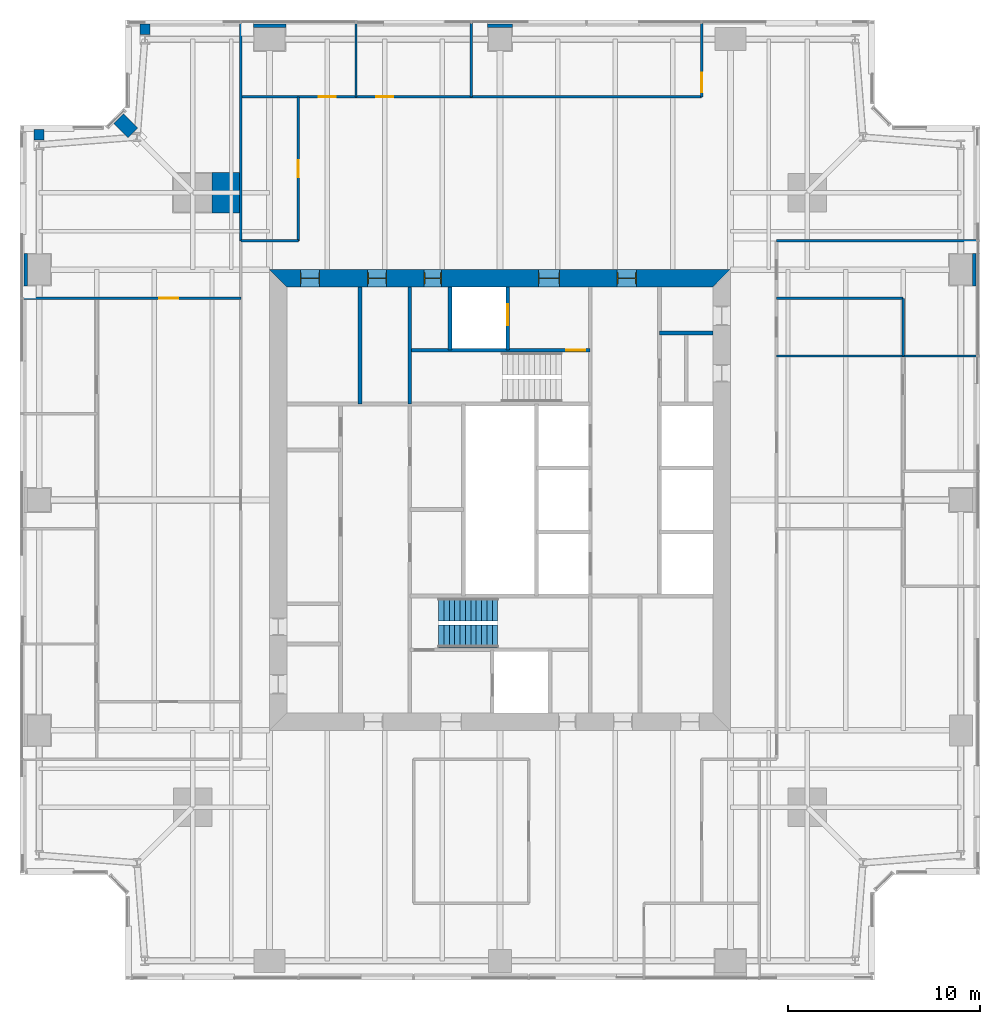
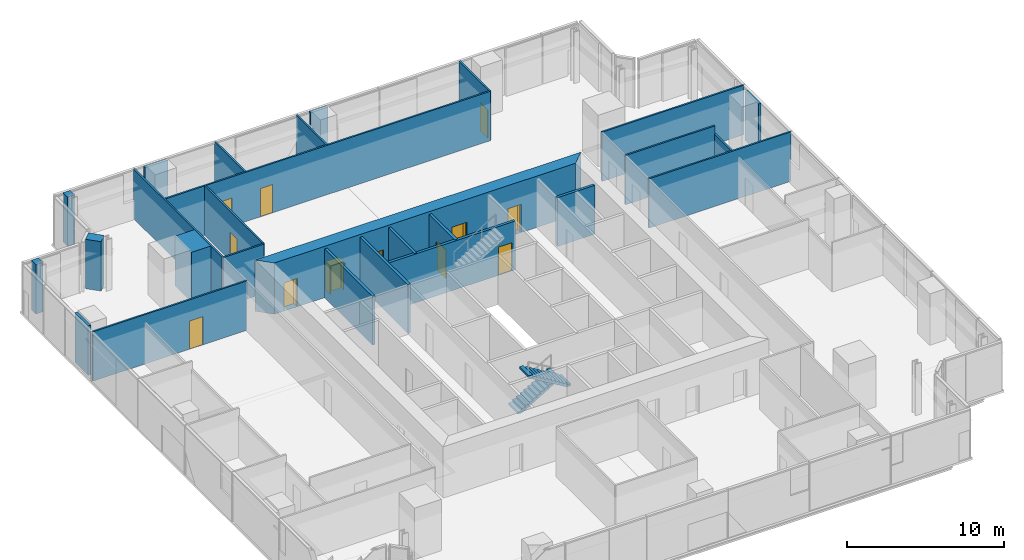
# One storey, part 13 of 16: 27 walls, 12 doors, 2 stair flights, 12 openings, 1 element without a shape of its own.
"""IFC4 building model written with IfcOpenShell, lengths in metres."""

from ifc_helpers import new_model, si_unit, direction, frame, frame_2d, origin, place, context, subcontext, project, spatial, polyline, rectangle, outline, extrude, material, layer, layer_set, type_object, element, fill, aggregate, save


model = new_model("IFC4")

# Units and contexts
model_context = context("Model", 3, precision=1e-05, world=origin(), true_north=direction((0.0, 1.0)))
body_context = subcontext(model_context, "Body", "Model", "MODEL_VIEW")
ifc_project = project(units=[si_unit("LENGTHUNIT", "METRE"), si_unit("AREAUNIT", "SQUARE_METRE"), si_unit("VOLUMEUNIT", "CUBIC_METRE"), si_unit("PLANEANGLEUNIT", "RADIAN"), si_unit("MASSUNIT", "GRAM", prefix="KILO")], contexts=[model_context])

# Site, building, storey
site_placement = place(None, origin())
site = spatial("IfcSite", under=ifc_project, at=site_placement, CompositionType="ELEMENT")
building_placement = place(site_placement, origin())
building = spatial("IfcBuilding", under=site, at=building_placement, Name="Fenwick Lantern Interchange", CompositionType="ELEMENT")
storey_placement = place(building_placement, frame((0.0, 0.0, 177.800048828125)))
storey = spatial("IfcBuildingStorey", under=building, at=storey_placement, Name="L41", CompositionType="ELEMENT", Elevation=177.800048828125)

# Walls
ifc_material_1 = material(Name="Fire-rated gypsum board encasement on steel studs, 2 hour", Category="steel")
ifc_layer_1 = layer(ifc_material_1, 1.300048828125)
ifc_layer_set_1 = layer_set([ifc_layer_1], Name="COLUMN PIER 1300")
wall_type_1 = type_object("IfcWallType", Name="COLUMN PIER 1300", PredefinedType="PARTITIONING", material=ifc_layer_set_1)
wall_1_placement = place(storey_placement, frame((25.0, 49.800048828125, 0.0), z_axis=(0.0, 0.0, 1.0), x_axis=(0.0, -1.0, 0.0)))
element("IfcWall", 1, at=wall_1_placement, inside=storey, type_object=wall_type_1, Name="L41/W/PIER/CN3", PredefinedType="PARTITIONING", context=body_context, shape_type="SweptSolid", body=[
    extrude(rectangle(XDim=0.199951171875, YDim=1.300048828125, at=frame_2d((0.10009765625, 0.0))), origin(), (0.0, 0.0, 1.0), 3.849853515625),
])
ifc_layer_2 = layer(ifc_material_1, 1.699951171875)
ifc_layer_set_2 = layer_set([ifc_layer_2], Name="COLUMN PIER 1700")
wall_type_2 = type_object("IfcWallType", Name="COLUMN PIER 1700", PredefinedType="PARTITIONING", material=ifc_layer_set_2)
for number, where, z_axis, x_axis, name in (
    (2, (49.800048828125, 37.0, 0.0), (0.0, 0.0, 1.0), (-1.0, 0.0, 0.0), "L41/W/PIER/CE4"),
    (3, (13.0, 49.800048828125, 0.0), (0.0, 0.0, 1.0), (0.0, -1.0, 0.0), "L41/W/PIER/CN4"),
    (4, (0.199951171875, 37.0, 0.0), (0.0, 0.0, 1.0), (1.0, 0.0, 0.0), "L41/W/PIER/CW2"),
):
    element("IfcWall", number, at=place(storey_placement, frame(where, z_axis=z_axis, x_axis=x_axis)), inside=storey, type_object=wall_type_2, Name=name, PredefinedType="PARTITIONING", context=body_context, shape_type="SweptSolid", body=[
        extrude(rectangle(XDim=0.199951171875, YDim=1.699951171875, at=frame_2d((0.10009765625, 0.0))), origin(), (0.0, 0.0, 1.0), 3.849853515625),
    ])
ifc_layer_3 = layer(ifc_material_1, 2.10009765625)
ifc_layer_set_3 = layer_set([ifc_layer_3], Name="COLUMN PIER 2100")
wall_type_3 = type_object("IfcWallType", Name="COLUMN PIER 2100", PredefinedType="PARTITIONING", material=ifc_layer_set_3)
wall_2_placement = place(storey_placement, frame((11.4375, 41.0, 0.0), z_axis=(0.0, 0.0, 1.0), x_axis=(-1.0, 0.0, 0.0)))
element("IfcWall", 5, at=wall_2_placement, inside=storey, type_object=wall_type_3, Name="L41/W/PIER/M4", PredefinedType="PARTITIONING", context=body_context, shape_type="SweptSolid", body=[
    extrude(rectangle(XDim=1.4375, YDim=2.10009765625, at=frame_2d((0.71875, 0.0))), origin(), (0.0, 0.0, 1.0), 3.849853515625),
])
ifc_layer_4 = layer(ifc_material_1, 0.52392578125)
ifc_layer_set_4 = layer_set([ifc_layer_4], Name="COLUMN PIER 524")
wall_type_4 = type_object("IfcWallType", Name="COLUMN PIER 524", PredefinedType="PARTITIONING", material=ifc_layer_set_4)
for number, where, z_axis, x_axis, name in (
    (6, (6.5, 49.800048828125, 0.0), (0.0, 0.0, 1.0), (0.0, -1.0, 0.0), "L41/W/PIER/CN5"),
    (7, (1.0, 44.300048828125, 0.0), (0.0, 0.0, 1.0), (0.0, -1.0, 0.0), "L41/W/PIER/CW1"),
):
    element("IfcWall", number, at=place(storey_placement, frame(where, z_axis=z_axis, x_axis=x_axis)), inside=storey, type_object=wall_type_4, Name=name, PredefinedType="PARTITIONING", context=body_context, shape_type="SweptSolid", body=[
        extrude(rectangle(XDim=0.5625, YDim=0.52392578125, at=frame_2d((0.28125, 0.0))), origin(), (0.0, 0.0, 1.0), 3.849853515625),
    ])
ifc_layer_5 = layer(ifc_material_1, 0.736083984375)
ifc_layer_set_5 = layer_set([ifc_layer_5], Name="COLUMN PIER 736")
wall_type_5 = type_object("IfcWallType", Name="COLUMN PIER 736", PredefinedType="PARTITIONING", material=ifc_layer_set_5)
wall_3_placement = place(storey_placement, frame((5.141357421875, 44.858642578125, 0.0), z_axis=(0.0, 0.0, 1.0), x_axis=(0.707106781187, -0.707106781187, 0.0)))
element("IfcWall", 8, at=wall_3_placement, inside=storey, type_object=wall_type_5, Name="L41/W/PIER/CNR", PredefinedType="PARTITIONING", context=body_context, shape_type="SweptSolid", body=[
    extrude(rectangle(XDim=1.037841796875, YDim=0.736083984375, at=frame_2d((0.51904296875, 0.0))), origin(), (0.0, 0.0, 1.0), 3.849853515625),
])

# Wall, opening, door
ifc_material_2 = material(Name="Concrete masonry ASTM C90 Grade N", Category="masonry")
ifc_layer_6 = layer(ifc_material_2, 0.199951171875)
ifc_layer_set_6 = layer_set([ifc_layer_6], Name="Concrete masonry ASTM C90 Grade N")
wall_type_6 = type_object("IfcWallType", Name="CORE PARTITION 200", PredefinedType="PARTITIONING", material=ifc_layer_set_6)
wall_4_placement = place(storey_placement, frame((25.39990234375, 36.10009765625, 0.0), z_axis=(0.0, 0.0, 1.0), x_axis=(0.0, -1.0, 0.0)))
wall_4 = element("IfcWall", 9, at=wall_4_placement, inside=storey, type_object=wall_type_6, Name="L41/W/COREN/h1", PredefinedType="PARTITIONING", context=body_context, shape_type="SweptSolid", body=[
    extrude(rectangle(XDim=3.300048828125, YDim=0.199951171875, at=frame_2d((1.64990234375, 0.0))), origin(), (0.0, 0.0, 1.0), 3.800048828125),
])
opening_1_placement = place(wall_4_placement, frame((0.89990234375, 0.0, 0.0)))
opening_1 = element("IfcOpeningElement", 10, at=opening_1_placement, cuts=wall_4, Name="Opening LD-FL2", PredefinedType="OPENING", context=body_context, shape_type="SweptSolid", body=[
    extrude(rectangle(XDim=1.10009765625, YDim=2.199951171875, at=frame_2d((0.550048828125, 1.10009765625))), frame((0.0, 0.10986328125, 0.0), z_axis=(0.0, -1.0, 0.0), x_axis=(1.0, 0.0, 0.0)), (0.0, 0.0, 1.0), 0.219970703125),
])
ifc_material_3 = material(Name="Steel door and frame", Category="steel")
door_type_1 = type_object("IfcDoorType", Name="LIFT LANDING DOOR 1100 X 2200", OperationType="DOUBLE_DOOR_SLIDING", PredefinedType="DOOR", material=ifc_material_3)
door_1_placement = place(opening_1_placement, origin())
door_1 = element("IfcDoor", 11, at=door_1_placement, inside=storey, type_object=door_type_1, Name="Lift landing door FL2", OperationType="DOUBLE_DOOR_SLIDING", OverallHeight=2.199951171875, OverallWidth=1.10009765625, PredefinedType="DOOR", context=body_context, shape_type="SweptSolid", body=[
    extrude(rectangle(XDim=1.10009765625, YDim=2.199951171875, at=frame_2d((0.550048828125, 1.10009765625))), frame((0.0, 0.02490234375, 0.0), z_axis=(0.0, -1.0, 0.0), x_axis=(1.0, 0.0, 0.0)), (0.0, 0.0, 1.0), 0.050048828125),
])
fill(opening_1, door_1)

# Walls
wall_5_placement = place(storey_placement, frame((22.39990234375, 36.10009765625, 0.0), z_axis=(0.0, 0.0, 1.0), x_axis=(0.0, -1.0, 0.0)))
element("IfcWall", 12, at=wall_5_placement, inside=storey, type_object=wall_type_6, Name="L41/W/COREN/h2", PredefinedType="PARTITIONING", context=body_context, shape_type="SweptSolid", body=[
    extrude(rectangle(XDim=3.300048828125, YDim=0.199951171875, at=frame_2d((1.64990234375, 0.0))), origin(), (0.0, 0.0, 1.0), 3.800048828125),
])
wall_6_placement = place(storey_placement, frame((17.699951171875, 36.10009765625, 0.0), z_axis=(0.0, 0.0, 1.0), x_axis=(0.0, -1.0, 0.0)))
element("IfcWall", 13, at=wall_6_placement, inside=storey, type_object=wall_type_6, Name="L41/W/COREN/i2", PredefinedType="PARTITIONING", context=body_context, shape_type="SweptSolid", body=[
    extrude(rectangle(XDim=6.10009765625, YDim=0.199951171875, at=frame_2d((3.050048828125, 0.0))), origin(), (0.0, 0.0, 1.0), 3.800048828125),
])
wall_7_placement = place(storey_placement, frame((36.10009765625, 33.699951171875, 0.0), z_axis=(0.0, 0.0, 1.0), x_axis=(-1.0, 0.0, 0.0)))
element("IfcWall", 14, at=wall_7_placement, inside=storey, type_object=wall_type_6, Name="L41/W/COREN/p1", PredefinedType="PARTITIONING", context=body_context, shape_type="SweptSolid", body=[
    extrude(rectangle(XDim=2.800048828125, YDim=0.199951171875, at=frame_2d((1.39990234375, 0.0))), origin(), (0.0, 0.0, 1.0), 3.800048828125),
])

# Wall, openings, doors
ifc_material_4 = material(Name="Concrete f'c 70 MPa", Category="concrete")
ifc_layer_7 = layer(ifc_material_4, 0.89990234375)
ifc_layer_set_7 = layer_set([ifc_layer_7], Name="CORE WALL 900")
wall_type_7 = type_object("IfcWallType", Name="CORE WALL 900", PredefinedType="SHEAR", material=ifc_layer_set_7)
wall_8_placement = place(storey_placement, frame((37.0, 36.550048828125, 0.0), z_axis=(0.0, 0.0, 1.0), x_axis=(-1.0, 0.0, 0.0)))
wall_8 = element("IfcWall", 15, at=wall_8_placement, inside=storey, type_object=wall_type_7, Name="L41/CORE/N", PredefinedType="SHEAR", context=body_context, shape_type="SweptSolid", body=[
    extrude(outline(polyline([(0.0, -0.449951171875), (24.0, -0.449951171875), (23.10009765625, 0.449951171875), (0.89990234375, 0.449951171875), (0.0, -0.449951171875)])), origin(), (0.0, 0.0, 1.0), 4.0),
])
opening_2_placement = place(wall_8_placement, frame((4.89990234375, 0.0, 0.0)))
opening_2 = element("IfcOpeningElement", 16, at=opening_2_placement, cuts=wall_8, Name="Opening L41-D013", PredefinedType="OPENING", context=body_context, shape_type="SweptSolid", body=[
    extrude(rectangle(XDim=1.0, YDim=2.199951171875, at=frame_2d((0.5, 1.10009765625))), frame((0.0, 0.4599609375, 0.0), z_axis=(0.0, -1.0, 0.0), x_axis=(1.0, 0.0, 0.0)), (0.0, 0.0, 1.0), 0.919921875),
])
opening_3_placement = place(wall_8_placement, frame((8.89990234375, 0.0, 0.0)))
opening_3 = element("IfcOpeningElement", 17, at=opening_3_placement, cuts=wall_8, Name="Opening L41-D014", PredefinedType="OPENING", context=body_context, shape_type="SweptSolid", body=[
    extrude(rectangle(XDim=1.10009765625, YDim=2.199951171875, at=frame_2d((0.550048828125, 1.10009765625))), frame((0.0, 0.4599609375, 0.0), z_axis=(0.0, -1.0, 0.0), x_axis=(1.0, 0.0, 0.0)), (0.0, 0.0, 1.0), 0.919921875),
])
opening_4_placement = place(wall_8_placement, frame((15.050048828125, 0.0, 0.0)))
opening_4 = element("IfcOpeningElement", 18, at=opening_4_placement, cuts=wall_8, Name="Opening L41-D016", PredefinedType="OPENING", context=body_context, shape_type="SweptSolid", body=[
    extrude(rectangle(XDim=0.89990234375, YDim=2.199951171875, at=frame_2d((0.449951171875, 1.10009765625))), frame((0.0, 0.4599609375, 0.0), z_axis=(0.0, -1.0, 0.0), x_axis=(1.0, 0.0, 0.0)), (0.0, 0.0, 1.0), 0.919921875),
])
opening_5_placement = place(wall_8_placement, frame((17.89990234375, 0.0, 0.0)))
opening_5 = element("IfcOpeningElement", 19, at=opening_5_placement, cuts=wall_8, Name="Opening L41-D017", PredefinedType="OPENING", context=body_context, shape_type="SweptSolid", body=[
    extrude(rectangle(XDim=1.0, YDim=2.199951171875, at=frame_2d((0.5, 1.10009765625))), frame((0.0, 0.4599609375, 0.0), z_axis=(0.0, -1.0, 0.0), x_axis=(1.0, 0.0, 0.0)), (0.0, 0.0, 1.0), 0.919921875),
])
opening_6_placement = place(wall_8_placement, frame((21.39990234375, 0.0, 0.0)))
opening_6 = element("IfcOpeningElement", 20, at=opening_6_placement, cuts=wall_8, Name="Opening L41-D018", PredefinedType="OPENING", context=body_context, shape_type="SweptSolid", body=[
    extrude(rectangle(XDim=1.0, YDim=2.199951171875, at=frame_2d((0.5, 1.10009765625))), frame((0.0, 0.4599609375, 0.0), z_axis=(0.0, -1.0, 0.0), x_axis=(1.0, 0.0, 0.0)), (0.0, 0.0, 1.0), 0.919921875),
])
door_type_2 = type_object("IfcDoorType", Name="CORE LOBBY DOOR 1000 X 2200", OperationType="SINGLE_SWING_LEFT", PredefinedType="DOOR", material=ifc_material_3)
door_2_placement = place(opening_2_placement, origin())
door_2 = element("IfcDoor", 21, at=door_2_placement, inside=storey, type_object=door_type_2, Name="Core lobby door", OperationType="SINGLE_SWING_LEFT", OverallHeight=2.199951171875, OverallWidth=1.0, PredefinedType="DOOR", context=body_context, shape_type="SweptSolid", body=[
    extrude(rectangle(XDim=1.0, YDim=2.199951171875, at=frame_2d((0.5, 1.10009765625))), frame((0.0, 0.02490234375, 0.0), z_axis=(0.0, -1.0, 0.0), x_axis=(1.0, 0.0, 0.0)), (0.0, 0.0, 1.0), 0.050048828125),
    extrude(outline(polyline([(0.0, 0.0), (0.0400390625, 0.0), (0.0400390625, 2.159912109375), (0.9599609375, 2.159912109375), (0.9599609375, 0.0), (1.0, 0.0), (1.0, 2.199951171875), (0.0, 2.199951171875), (0.0, 0.0)])), frame((0.0, 0.300048828125, 0.0), z_axis=(0.0, -1.0, 0.0), x_axis=(1.0, 0.0, 0.0)), (0.0, 0.0, 1.0), 0.60009765625),
])
fill(opening_2, door_2)
door_type_3 = type_object("IfcDoorType", Name="FIRE LOBBY DOOR 1100 X 2200", OperationType="SINGLE_SWING_LEFT", PredefinedType="DOOR", material=ifc_material_3)
door_3_placement = place(opening_3_placement, origin())
door_3 = element("IfcDoor", 22, at=door_3_placement, inside=storey, type_object=door_type_3, Name="Fire lobby door", OperationType="SINGLE_SWING_LEFT", OverallHeight=2.199951171875, OverallWidth=1.10009765625, PredefinedType="DOOR", context=body_context, shape_type="SweptSolid", body=[
    extrude(rectangle(XDim=1.10009765625, YDim=2.199951171875, at=frame_2d((0.550048828125, 1.10009765625))), frame((0.0, 0.02490234375, 0.0), z_axis=(0.0, -1.0, 0.0), x_axis=(1.0, 0.0, 0.0)), (0.0, 0.0, 1.0), 0.050048828125),
    extrude(outline(polyline([(0.0, 0.0), (0.0400390625, 0.0), (0.0400390625, 2.159912109375), (1.06005859375, 2.159912109375), (1.06005859375, 0.0), (1.10009765625, 0.0), (1.10009765625, 2.199951171875), (0.0, 2.199951171875), (0.0, 0.0)])), frame((0.0, 0.300048828125, 0.0), z_axis=(0.0, -1.0, 0.0), x_axis=(1.0, 0.0, 0.0)), (0.0, 0.0, 1.0), 0.60009765625),
])
fill(opening_3, door_3)
door_type_4 = type_object("IfcDoorType", Name="SERVICE DOOR 900 X 2200", OperationType="SINGLE_SWING_LEFT", PredefinedType="DOOR", material=ifc_material_3)
door_4_placement = place(opening_4_placement, origin())
door_4 = element("IfcDoor", 23, at=door_4_placement, inside=storey, type_object=door_type_4, Name="Service door", OperationType="SINGLE_SWING_LEFT", OverallHeight=2.199951171875, OverallWidth=0.89990234375, PredefinedType="DOOR", context=body_context, shape_type="SweptSolid", body=[
    extrude(rectangle(XDim=0.89990234375, YDim=2.199951171875, at=frame_2d((0.449951171875, 1.10009765625))), frame((0.0, 0.02490234375, 0.0), z_axis=(0.0, -1.0, 0.0), x_axis=(1.0, 0.0, 0.0)), (0.0, 0.0, 1.0), 0.050048828125),
    extrude(outline(polyline([(0.0, 0.0), (0.0400390625, 0.0), (0.0400390625, 2.159912109375), (0.85986328125, 2.159912109375), (0.85986328125, 0.0), (0.89990234375, 0.0), (0.89990234375, 2.199951171875), (0.0, 2.199951171875), (0.0, 0.0)])), frame((0.0, 0.300048828125, 0.0), z_axis=(0.0, -1.0, 0.0), x_axis=(1.0, 0.0, 0.0)), (0.0, 0.0, 1.0), 0.60009765625),
])
fill(opening_4, door_4)
ifc_material_5 = material(Name="Hardwood door and steel frame", Category="steel")
door_type_5 = type_object("IfcDoorType", Name="WC DOOR 1000 X 2200", OperationType="SINGLE_SWING_LEFT", PredefinedType="DOOR", material=ifc_material_5)
door_5_placement = place(opening_5_placement, origin())
door_5 = element("IfcDoor", 24, at=door_5_placement, inside=storey, type_object=door_type_5, Name="Wc door", OperationType="SINGLE_SWING_RIGHT", OverallHeight=2.199951171875, OverallWidth=1.0, PredefinedType="DOOR", context=body_context, shape_type="SweptSolid", body=[
    extrude(rectangle(XDim=1.0, YDim=2.199951171875, at=frame_2d((0.5, 1.10009765625))), frame((0.0, 0.02490234375, 0.0), z_axis=(0.0, -1.0, 0.0), x_axis=(1.0, 0.0, 0.0)), (0.0, 0.0, 1.0), 0.050048828125),
    extrude(outline(polyline([(0.0, 0.0), (0.0400390625, 0.0), (0.0400390625, 2.159912109375), (0.9599609375, 2.159912109375), (0.9599609375, 0.0), (1.0, 0.0), (1.0, 2.199951171875), (0.0, 2.199951171875), (0.0, 0.0)])), frame((0.0, 0.300048828125, 0.0), z_axis=(0.0, -1.0, 0.0), x_axis=(1.0, 0.0, 0.0)), (0.0, 0.0, 1.0), 0.60009765625),
])
fill(opening_5, door_5)
door_6_placement = place(opening_6_placement, origin())
door_6 = element("IfcDoor", 25, at=door_6_placement, inside=storey, type_object=door_type_5, Name="Wc door", OperationType="SINGLE_SWING_RIGHT", OverallHeight=2.199951171875, OverallWidth=1.0, PredefinedType="DOOR", context=body_context, shape_type="SweptSolid", body=[
    extrude(rectangle(XDim=1.0, YDim=2.199951171875, at=frame_2d((0.5, 1.10009765625))), frame((0.0, 0.02490234375, 0.0), z_axis=(0.0, -1.0, 0.0), x_axis=(1.0, 0.0, 0.0)), (0.0, 0.0, 1.0), 0.050048828125),
    extrude(outline(polyline([(0.0, 0.0), (0.0400390625, 0.0), (0.0400390625, 2.159912109375), (0.9599609375, 2.159912109375), (0.9599609375, 0.0), (1.0, 0.0), (1.0, 2.199951171875), (0.0, 2.199951171875), (0.0, 0.0)])), frame((0.0, 0.300048828125, 0.0), z_axis=(0.0, -1.0, 0.0), x_axis=(1.0, 0.0, 0.0)), (0.0, 0.0, 1.0), 0.60009765625),
])
fill(opening_6, door_6)

# Walls
ifc_material_6 = material(Name="Gypsum board on steel studs, acoustic", Category="steel")
ifc_layer_8 = layer(ifc_material_6, 0.125)
ifc_layer_set_8 = layer_set([ifc_layer_8], Name="OFFICE PARTITION 125")
wall_type_8 = type_object("IfcWallType", Name="OFFICE PARTITION 125", PredefinedType="PARTITIONING", material=ifc_layer_set_8)
wall_9_placement = place(storey_placement, frame((49.85009765625, 32.5, 0.0), z_axis=(0.0, 0.0, 1.0), x_axis=(-1.0, 0.0, 0.0)))
element("IfcWall", 26, at=wall_9_placement, inside=storey, type_object=wall_type_8, Name="L41/W/OFF/E/X325-1", PredefinedType="PARTITIONING", context=body_context, shape_type="SweptSolid", body=[
    extrude(rectangle(XDim=10.4501953125, YDim=0.125, at=frame_2d((5.22509765625, 0.0))), origin(), (0.0, 0.0, 1.0), 3.849853515625),
])
wall_10_placement = place(storey_placement, frame((46.0, 35.5, 0.0), z_axis=(0.0, 0.0, 1.0), x_axis=(-1.0, 0.0, 0.0)))
element("IfcWall", 27, at=wall_10_placement, inside=storey, type_object=wall_type_8, Name="L41/W/OFF/E/X355-1", PredefinedType="PARTITIONING", context=body_context, shape_type="SweptSolid", body=[
    extrude(rectangle(XDim=6.60009765625, YDim=0.125, at=frame_2d((3.300048828125, 0.0))), origin(), (0.0, 0.0, 1.0), 3.849853515625),
])
wall_11_placement = place(storey_placement, frame((46.0, 32.5, 0.0), z_axis=(0.0, 0.0, 1.0), x_axis=(0.0, 1.0, 0.0)))
element("IfcWall", 28, at=wall_11_placement, inside=storey, type_object=wall_type_8, Name="L41/W/OFF/E/Y40-2", PredefinedType="PARTITIONING", context=body_context, shape_type="SweptSolid", body=[
    extrude(rectangle(XDim=3.0, YDim=0.125, at=frame_2d((1.5, 0.0))), origin(), (0.0, 0.0, 1.0), 3.23779296875),
])
wall_12_placement = place(storey_placement, frame((49.85009765625, 38.5, 0.0), z_axis=(0.0, 0.0, 1.0), x_axis=(-1.0, 0.0, 0.0)))
element("IfcWall", 29, at=wall_12_placement, inside=storey, type_object=wall_type_8, Name="L41/W/OFF/N/BACK", PredefinedType="PARTITIONING", context=body_context, shape_type="SweptSolid", body=[
    extrude(rectangle(XDim=10.4501953125, YDim=0.125, at=frame_2d((5.22509765625, 0.0))), origin(), (0.0, 0.0, 1.0), 3.849853515625),
])

# Wall, opening, door
wall_13_placement = place(storey_placement, frame((35.5, 49.85009765625, 0.0), z_axis=(0.0, 0.0, 1.0), x_axis=(0.0, -1.0, 0.0)))
wall_13 = element("IfcWall", 30, at=wall_13_placement, inside=storey, type_object=wall_type_8, Name="L41/W/OFF/N/X145-1", PredefinedType="PARTITIONING", context=body_context, shape_type="SweptSolid", body=[
    extrude(rectangle(XDim=3.85009765625, YDim=0.125, at=frame_2d((1.925048828125, 0.0))), origin(), (0.0, 0.0, 1.0), 3.849853515625),
])
opening_7_placement = place(wall_13_placement, frame((2.60009765625, 0.0, 0.0)))
opening_7 = element("IfcOpeningElement", 31, at=opening_7_placement, cuts=wall_13, Name="Opening L41-D032", PredefinedType="OPENING", context=body_context, shape_type="SweptSolid", body=[
    extrude(rectangle(XDim=1.0, YDim=2.199951171875, at=frame_2d((0.5, 1.10009765625))), frame((0.0, 0.072509765625, 0.0), z_axis=(0.0, -1.0, 0.0), x_axis=(1.0, 0.0, 0.0)), (0.0, 0.0, 1.0), 0.14501953125),
])
door_type_6 = type_object("IfcDoorType", Name="MEETING ROOM DOOR 1000 X 2200", OperationType="SINGLE_SWING_LEFT", PredefinedType="DOOR", material=ifc_material_5)
door_7_placement = place(opening_7_placement, frame((1.0, 0.0, 0.0), z_axis=(0.0, 0.0, 1.0), x_axis=(-1.0, 0.0, 0.0)))
door_7 = element("IfcDoor", 32, at=door_7_placement, inside=storey, type_object=door_type_6, Name="Meeting room door", OperationType="SINGLE_SWING_LEFT", OverallHeight=2.199951171875, OverallWidth=1.0, PredefinedType="DOOR", context=body_context, shape_type="SweptSolid", body=[
    extrude(rectangle(XDim=1.0, YDim=2.199951171875, at=frame_2d((0.5, 1.10009765625))), frame((0.0, 0.02490234375, 0.0), z_axis=(0.0, -1.0, 0.0), x_axis=(1.0, 0.0, 0.0)), (0.0, 0.0, 1.0), 0.050048828125),
])
fill(opening_7, door_7)

# Walls
for number, where, z_axis, x_axis, name in (
    (33, (23.5, 49.85009765625, 0.0), (0.0, 0.0, 1.0), (0.0, -1.0, 0.0), "L41/W/OFF/N/X265-1"),
    (34, (17.5, 49.85009765625, 0.0), (0.0, 0.0, 1.0), (0.0, -1.0, 0.0), "L41/W/OFF/N/X325-1"),
):
    element("IfcWall", number, at=place(storey_placement, frame(where, z_axis=z_axis, x_axis=x_axis)), inside=storey, type_object=wall_type_8, Name=name, PredefinedType="PARTITIONING", context=body_context, shape_type="SweptSolid", body=[
        extrude(rectangle(XDim=3.85009765625, YDim=0.125, at=frame_2d((1.925048828125, 0.0))), origin(), (0.0, 0.0, 1.0), 3.849853515625),
    ])

# Wall, opening, door
wall_14_placement = place(storey_placement, frame((14.5, 46.0, 0.0), z_axis=(0.0, 0.0, 1.0), x_axis=(0.0, -1.0, 0.0)))
wall_14 = element("IfcWall", 35, at=wall_14_placement, inside=storey, type_object=wall_type_8, Name="L41/W/OFF/N/X355-1", PredefinedType="PARTITIONING", context=body_context, shape_type="SweptSolid", body=[
    extrude(rectangle(XDim=7.5, YDim=0.125, at=frame_2d((3.75, 0.0))), origin(), (0.0, 0.0, 1.0), 3.849853515625),
])
opening_8_placement = place(wall_14_placement, frame((3.300048828125, 0.0, 0.0)))
opening_8 = element("IfcOpeningElement", 36, at=opening_8_placement, cuts=wall_14, Name="Opening L41-D035", PredefinedType="OPENING", context=body_context, shape_type="SweptSolid", body=[
    extrude(rectangle(XDim=0.89990234375, YDim=2.199951171875, at=frame_2d((0.449951171875, 1.10009765625))), frame((0.0, 0.072509765625, 0.0), z_axis=(0.0, -1.0, 0.0), x_axis=(1.0, 0.0, 0.0)), (0.0, 0.0, 1.0), 0.14501953125),
])
door_type_7 = type_object("IfcDoorType", Name="OFFICE DOOR 900 X 2200", OperationType="SINGLE_SWING_LEFT", PredefinedType="DOOR", material=ifc_material_5)
door_8_placement = place(opening_8_placement, frame((0.89990234375, 0.0, 0.0), z_axis=(0.0, 0.0, 1.0), x_axis=(-1.0, 0.0, 0.0)))
door_8 = element("IfcDoor", 37, at=door_8_placement, inside=storey, type_object=door_type_7, Name="Office door", OperationType="SINGLE_SWING_RIGHT", OverallHeight=2.199951171875, OverallWidth=0.89990234375, PredefinedType="DOOR", context=body_context, shape_type="SweptSolid", body=[
    extrude(rectangle(XDim=0.89990234375, YDim=2.199951171875, at=frame_2d((0.449951171875, 1.10009765625))), frame((0.0, 0.02490234375, 0.0), z_axis=(0.0, -1.0, 0.0), x_axis=(1.0, 0.0, 0.0)), (0.0, 0.0, 1.0), 0.050048828125),
])
fill(opening_8, door_8)

# Wall, openings, doors
wall_15_placement = place(storey_placement, frame((35.5, 46.0, 0.0), z_axis=(0.0, 0.0, 1.0), x_axis=(-1.0, 0.0, 0.0)))
wall_15 = element("IfcWall", 38, at=wall_15_placement, inside=storey, type_object=wall_type_8, Name="L41/W/OFF/N/Y40-1", PredefinedType="PARTITIONING", context=body_context, shape_type="SweptSolid", body=[
    extrude(rectangle(XDim=24.0, YDim=0.125, at=frame_2d((12.0, 0.0))), origin(), (0.0, 0.0, 1.0), 3.849853515625),
])
opening_9_placement = place(wall_15_placement, frame((16.050048828125, 0.0, 0.0)))
opening_9 = element("IfcOpeningElement", 39, at=opening_9_placement, cuts=wall_15, Name="Opening L41-D033", PredefinedType="OPENING", context=body_context, shape_type="SweptSolid", body=[
    extrude(rectangle(XDim=0.89990234375, YDim=2.199951171875, at=frame_2d((0.449951171875, 1.10009765625))), frame((0.0, 0.072509765625, 0.0), z_axis=(0.0, -1.0, 0.0), x_axis=(1.0, 0.0, 0.0)), (0.0, 0.0, 1.0), 0.14501953125),
])
opening_10_placement = place(wall_15_placement, frame((19.050048828125, 0.0, 0.0)))
opening_10 = element("IfcOpeningElement", 40, at=opening_10_placement, cuts=wall_15, Name="Opening L41-D034", PredefinedType="OPENING", context=body_context, shape_type="SweptSolid", body=[
    extrude(rectangle(XDim=0.89990234375, YDim=2.199951171875, at=frame_2d((0.449951171875, 1.10009765625))), frame((0.0, 0.072509765625, 0.0), z_axis=(0.0, -1.0, 0.0), x_axis=(1.0, 0.0, 0.0)), (0.0, 0.0, 1.0), 0.14501953125),
])
door_9_placement = place(opening_9_placement, frame((0.89990234375, 0.0, 0.0), z_axis=(0.0, 0.0, 1.0), x_axis=(-1.0, 0.0, 0.0)))
door_9 = element("IfcDoor", 41, at=door_9_placement, inside=storey, type_object=door_type_7, Name="Office door", OperationType="SINGLE_SWING_LEFT", OverallHeight=2.199951171875, OverallWidth=0.89990234375, PredefinedType="DOOR", context=body_context, shape_type="SweptSolid", body=[
    extrude(rectangle(XDim=0.89990234375, YDim=2.199951171875, at=frame_2d((0.449951171875, 1.10009765625))), frame((0.0, 0.02490234375, 0.0), z_axis=(0.0, -1.0, 0.0), x_axis=(1.0, 0.0, 0.0)), (0.0, 0.0, 1.0), 0.050048828125),
])
fill(opening_9, door_9)
door_10_placement = place(opening_10_placement, frame((0.89990234375, 0.0, 0.0), z_axis=(0.0, 0.0, 1.0), x_axis=(-1.0, 0.0, 0.0)))
door_10 = element("IfcDoor", 42, at=door_10_placement, inside=storey, type_object=door_type_7, Name="Office door", OperationType="SINGLE_SWING_RIGHT", OverallHeight=2.199951171875, OverallWidth=0.89990234375, PredefinedType="DOOR", context=body_context, shape_type="SweptSolid", body=[
    extrude(rectangle(XDim=0.89990234375, YDim=2.199951171875, at=frame_2d((0.449951171875, 1.10009765625))), frame((0.0, 0.02490234375, 0.0), z_axis=(0.0, -1.0, 0.0), x_axis=(1.0, 0.0, 0.0)), (0.0, 0.0, 1.0), 0.050048828125),
])
fill(opening_10, door_10)

# Walls
wall_16_placement = place(storey_placement, frame((14.5, 38.5, 0.0), z_axis=(0.0, 0.0, 1.0), x_axis=(-1.0, 0.0, 0.0)))
element("IfcWall", 43, at=wall_16_placement, inside=storey, type_object=wall_type_8, Name="L41/W/OFF/N/CWS1", PredefinedType="PARTITIONING", context=body_context, shape_type="SweptSolid", body=[
    extrude(rectangle(XDim=3.0, YDim=0.125, at=frame_2d((1.5, 0.0))), origin(), (0.0, 0.0, 1.0), 3.849853515625),
])
wall_17_placement = place(storey_placement, frame((11.5, 49.85009765625, 0.0), z_axis=(0.0, 0.0, 1.0), x_axis=(0.0, -1.0, 0.0)))
element("IfcWall", 44, at=wall_17_placement, inside=storey, type_object=wall_type_8, Name="L41/W/OFF/W/BACK", PredefinedType="PARTITIONING", context=body_context, shape_type="SweptSolid", body=[
    extrude(rectangle(XDim=11.35009765625, YDim=0.125, at=frame_2d((5.675048828125, 0.0))), origin(), (0.0, 0.0, 1.0), 3.849853515625),
])

# Wall, opening, door
wall_18_placement = place(storey_placement, frame((0.14990234375, 35.5, 0.0), z_axis=(0.0, 0.0, 1.0), x_axis=(1.0, 0.0, 0.0)))
wall_18 = element("IfcWall", 45, at=wall_18_placement, inside=storey, type_object=wall_type_8, Name="L41/W/OFF/W/X145-1", PredefinedType="PARTITIONING", context=body_context, shape_type="SweptSolid", body=[
    extrude(rectangle(XDim=11.35009765625, YDim=0.125, at=frame_2d((5.675048828125, 0.0))), origin(), (0.0, 0.0, 1.0), 3.849853515625),
])
opening_11_placement = place(wall_18_placement, frame((7.10009765625, 0.0, 0.0)))
opening_11 = element("IfcOpeningElement", 46, at=opening_11_placement, cuts=wall_18, Name="Opening L41-D037", PredefinedType="OPENING", context=body_context, shape_type="SweptSolid", body=[
    extrude(rectangle(XDim=1.0, YDim=2.199951171875, at=frame_2d((0.5, 1.10009765625))), frame((0.0, 0.072509765625, 0.0), z_axis=(0.0, -1.0, 0.0), x_axis=(1.0, 0.0, 0.0)), (0.0, 0.0, 1.0), 0.14501953125),
])
door_11_placement = place(opening_11_placement, origin())
door_11 = element("IfcDoor", 47, at=door_11_placement, inside=storey, type_object=door_type_6, Name="Meeting room door", OperationType="SINGLE_SWING_RIGHT", OverallHeight=2.199951171875, OverallWidth=1.0, PredefinedType="DOOR", context=body_context, shape_type="SweptSolid", body=[
    extrude(rectangle(XDim=1.0, YDim=2.199951171875, at=frame_2d((0.5, 1.10009765625))), frame((0.0, 0.02490234375, 0.0), z_axis=(0.0, -1.0, 0.0), x_axis=(1.0, 0.0, 0.0)), (0.0, 0.0, 1.0), 0.050048828125),
])
fill(opening_11, door_11)

ifc_material_7 = material(Name="Concrete f'c 45 MPa", Category="concrete")
ifc_layer_9 = layer(ifc_material_7, 0.199951171875)
ifc_layer_set_9 = layer_set([ifc_layer_9], Name="STAIR CORE WALL 200")
wall_type_9 = type_object("IfcWallType", Name="STAIR CORE WALL 200", PredefinedType="SOLIDWALL", material=ifc_layer_set_9)
wall_19_placement = place(storey_placement, frame((29.699951171875, 32.800048828125, 0.0), z_axis=(0.0, 0.0, 1.0), x_axis=(-1.0, 0.0, 0.0)))
wall_19 = element("IfcWall", 48, at=wall_19_placement, inside=storey, type_object=wall_type_9, Name="L41/W/COREN/g1", PredefinedType="SOLIDWALL", context=body_context, shape_type="SweptSolid", body=[
    extrude(rectangle(XDim=9.39990234375, YDim=0.199951171875, at=frame_2d((4.699951171875, 0.0))), origin(), (0.0, 0.0, 1.0), 3.800048828125),
])
opening_12_placement = place(wall_19_placement, frame((0.25, 0.0, 0.0)))
opening_12 = element("IfcOpeningElement", 49, at=opening_12_placement, cuts=wall_19, Name="Opening L41-D015", PredefinedType="OPENING", context=body_context, shape_type="SweptSolid", body=[
    extrude(rectangle(XDim=1.0, YDim=2.199951171875, at=frame_2d((0.5, 1.10009765625))), frame((0.0, 0.10986328125, 0.0), z_axis=(0.0, -1.0, 0.0), x_axis=(1.0, 0.0, 0.0)), (0.0, 0.0, 1.0), 0.219970703125),
])
door_type_8 = type_object("IfcDoorType", Name="STAIR DOOR 1000 X 2200", OperationType="SINGLE_SWING_LEFT", PredefinedType="DOOR", material=ifc_material_3)
door_12_placement = place(opening_12_placement, origin())
door_12 = element("IfcDoor", 50, at=door_12_placement, inside=storey, type_object=door_type_8, Name="Stair door", OperationType="SINGLE_SWING_LEFT", OverallHeight=2.199951171875, OverallWidth=1.0, PredefinedType="DOOR", context=body_context, shape_type="SweptSolid", body=[
    extrude(rectangle(XDim=1.0, YDim=2.199951171875, at=frame_2d((0.5, 1.10009765625))), frame((0.0, 0.02490234375, 0.0), z_axis=(0.0, -1.0, 0.0), x_axis=(1.0, 0.0, 0.0)), (0.0, 0.0, 1.0), 0.050048828125),
])
fill(opening_12, door_12)

# Wall
wall_20_placement = place(storey_placement, frame((20.300048828125, 36.10009765625, 0.0), z_axis=(0.0, 0.0, 1.0), x_axis=(0.0, -1.0, 0.0)))
element("IfcWall", 51, at=wall_20_placement, inside=storey, type_object=wall_type_9, Name="L41/W/COREN/i1", PredefinedType="SOLIDWALL", context=body_context, shape_type="SweptSolid", body=[
    extrude(rectangle(XDim=6.10009765625, YDim=0.199951171875, at=frame_2d((3.050048828125, 0.0))), origin(), (0.0, 0.0, 1.0), 3.800048828125),
])

# Stair, stair flights
ifc_material_8 = material(Name="Precast concrete f'c 35 MPa", Category="concrete")
stair_type = type_object("IfcStairType", Name="EXIT STAIR 1200", PredefinedType="HALF_TURN_STAIR", material=ifc_material_8)
stair_placement = place(storey_placement, origin())
stair = element("IfcStair", 52, at=stair_placement, inside=storey, type_object=stair_type, Name="Exit stair ST1", PredefinedType="HALF_TURN_STAIR")
stair_flight_type = type_object("IfcStairFlightType", Name="STAIR FLIGHT 1200", PredefinedType="STRAIGHT", material=ifc_material_8)
stair_flight_1_placement = place(storey_placement, frame((21.800048828125, 19.300048828125, 0.0), z_axis=(0.0, 0.0, 1.0), x_axis=(1.0, 0.0, 0.0)))
stair_flight_1 = element("IfcStairFlight", 53, at=stair_flight_1_placement, type_object=stair_flight_type, Name="ST1 flight 1", NumberOfRisers=12, NumberOfTreads=11, PredefinedType="STRAIGHT", RiserHeight=0.166666667, TreadLength=0.28, context=body_context, shape_type="SweptSolid", body=[
    extrude(outline(polyline([(0.0, 0.0), (0.0, 0.166748046875), (0.280029296875, 0.166748046875), (0.280029296875, 0.333251953125), (0.56005859375, 0.333251953125), (0.56005859375, 0.5), (0.840087890625, 0.5), (0.840087890625, 0.666748046875), (1.1201171875, 0.666748046875), (1.1201171875, 0.833251953125), (1.39990234375, 0.833251953125), (1.39990234375, 1.0), (1.679931640625, 1.0), (1.679931640625, 1.166748046875), (1.9599609375, 1.166748046875), (1.9599609375, 1.333251953125), (2.239990234375, 1.333251953125), (2.239990234375, 1.5), (2.52001953125, 1.5), (2.52001953125, 1.666748046875), (2.800048828125, 1.666748046875), (2.800048828125, 1.833251953125), (3.080078125, 1.833251953125), (3.080078125, 2.0), (3.080078125, 1.658935546875), (0.29296875, 0.0), (0.0, 0.0)])), frame((0.0, 0.60009765625, 0.0), z_axis=(0.0, -1.0, 0.0), x_axis=(1.0, 0.0, 0.0)), (0.0, 0.0, 1.0), 1.199951171875),
])
stair_flight_2_placement = place(storey_placement, frame((24.8798828125, 17.89990234375, 2.0), z_axis=(0.0, 0.0, 1.0), x_axis=(-1.0, 0.0, 0.0)))
stair_flight_2 = element("IfcStairFlight", 54, at=stair_flight_2_placement, type_object=stair_flight_type, Name="ST1 flight 2", NumberOfRisers=12, NumberOfTreads=11, PredefinedType="STRAIGHT", RiserHeight=0.166666667, TreadLength=0.28, context=body_context, shape_type="SweptSolid", body=[
    extrude(outline(polyline([(0.0, 0.0), (0.0, 0.166748046875), (0.280029296875, 0.166748046875), (0.280029296875, 0.333251953125), (0.56005859375, 0.333251953125), (0.56005859375, 0.5), (0.840087890625, 0.5), (0.840087890625, 0.666748046875), (1.1201171875, 0.666748046875), (1.1201171875, 0.833251953125), (1.39990234375, 0.833251953125), (1.39990234375, 1.0), (1.679931640625, 1.0), (1.679931640625, 1.166748046875), (1.9599609375, 1.166748046875), (1.9599609375, 1.333251953125), (2.239990234375, 1.333251953125), (2.239990234375, 1.5), (2.52001953125, 1.5), (2.52001953125, 1.666748046875), (2.800048828125, 1.666748046875), (2.800048828125, 1.833251953125), (3.080078125, 1.833251953125), (3.080078125, 2.0), (3.080078125, 1.658935546875), (0.29296875, 0.0), (0.0, 0.0)])), frame((0.0, 0.60009765625, 0.0), z_axis=(0.0, -1.0, 0.0), x_axis=(1.0, 0.0, 0.0)), (0.0, 0.0, 1.0), 1.199951171875),
])
aggregate(stair, [stair_flight_1, stair_flight_2])

save(model, "model.ifc")
